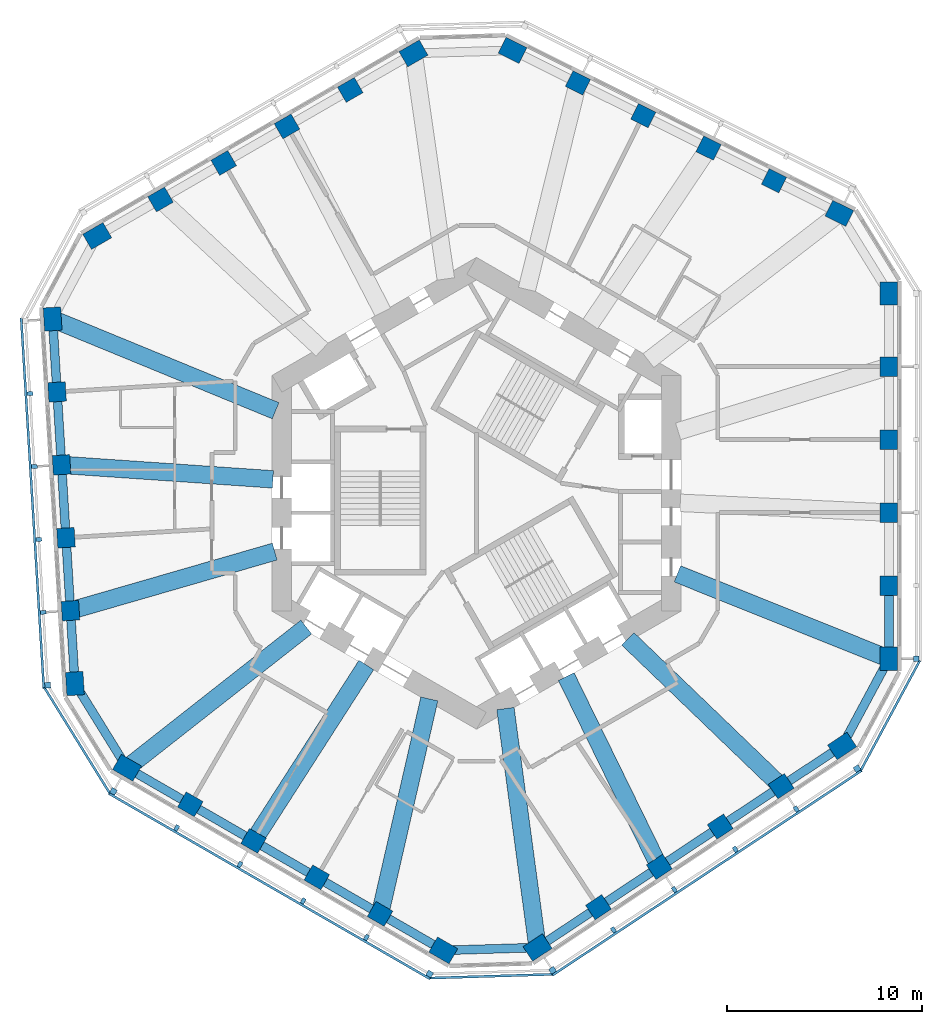
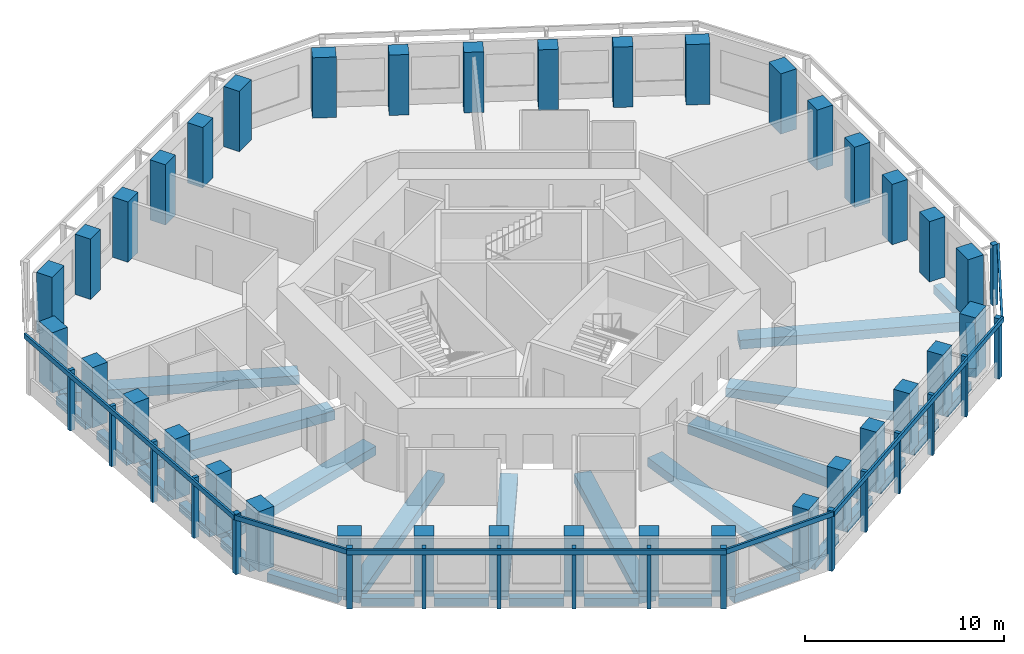
# One storey, part 1 of 10: 36 columns, 29 beams, 24 members, 7 elements without a shape of their own.
"""IFC4 building model written with IfcOpenShell, lengths in metres."""

from ifc_helpers import new_model, si_unit, direction, frame, origin, origin_2d, place, context, subcontext, project, spatial, rectangle, extrude, material, material_profile, profile_set, type_object, element, aggregate, save


model = new_model("IFC4")

# Units and contexts
model_context = context("Model", 3, precision=1e-05, world=origin(), true_north=direction((0.0, 1.0)))
body_context = subcontext(model_context, "Body", "Model", "MODEL_VIEW")
ifc_project = project(units=[si_unit("LENGTHUNIT", "METRE"), si_unit("AREAUNIT", "SQUARE_METRE"), si_unit("VOLUMEUNIT", "CUBIC_METRE"), si_unit("PLANEANGLEUNIT", "RADIAN"), si_unit("MASSUNIT", "GRAM", prefix="KILO")], contexts=[model_context])

# Site, building, storey
site_placement = place(None, origin())
site = spatial("IfcSite", under=ifc_project, at=site_placement, CompositionType="ELEMENT")
building_placement = place(site_placement, origin())
building = spatial("IfcBuilding", under=site, at=building_placement, Name="Vanh Sen Convention Tower", CompositionType="ELEMENT")
storey_placement = place(building_placement, frame((0.0, 0.0, 165.10009765625)))
storey = spatial("IfcBuildingStorey", under=building, at=storey_placement, Name="L40", CompositionType="ELEMENT", Elevation=165.10009765625)

# Columns
ifc_material_1 = material(Name="Concrete C80/95", Category="concrete")
ifc_material_profile_1 = material_profile(ifc_material_1, rectangle(XDim=1.0, YDim=0.89990234375, at=origin_2d()), Name="RC 1000X900")
ifc_profile_set_1 = profile_set([ifc_material_profile_1], Name="Concrete C80/95")
column_type_1 = type_object("IfcColumnType", Name="Facade column 1000 x 900 C80/95", PredefinedType="COLUMN", material=ifc_profile_set_1)
for number, where, z_axis, x_axis, name in (
    (1, (21.199951171875, -4.746826171875, 0.0), (0.0, 0.0, 1.0), (0.0, 1.0, 0.0), "Facade column 02 L40"),
    (2, (21.199951171875, -0.992919921875, 0.0), (0.0, 0.0, 1.0), (0.0, 1.0, 0.0), "Facade column 03 L40"),
    (3, (21.199951171875, 2.76123046875, 0.0), (0.0, 0.0, 1.0), (0.0, 1.0, 0.0), "Facade column 04 L40"),
    (4, (21.199951171875, 6.515380859375, 0.0), (0.0, 0.0, 1.0), (0.0, 1.0, 0.0), "Facade column 05 L40"),
    (5, (15.290283203125, 16.0654296875, 0.0), (0.0, 0.0, 1.0), (-0.894934361602, 0.44619781311, 0.0), "Facade column 08 L40"),
    (6, (11.9306640625, 17.740478515625, 0.0), (0.0, 0.0, 1.0), (-0.894934361602, 0.44619781311, 0.0), "Facade column 09 L40"),
    (7, (8.57080078125, 19.41552734375, 0.0), (0.0, 0.0, 1.0), (-0.894934361602, 0.44619781311, 0.0), "Facade column 10 L40"),
    (8, (5.211181640625, 21.0908203125, 0.0), (0.0, 0.0, 1.0), (-0.894934361602, 0.44619781311, 0.0), "Facade column 11 L40"),
    (9, (-6.489013671875, 20.733154296875, 0.0), (0.0, 0.0, 1.0), (-0.866025403784, -0.5, 0.0), "Facade column 14 L40"),
    (10, (-9.740234375, 18.856201171875, 0.0), (0.0, 0.0, 1.0), (-0.866025403784, -0.5, 0.0), "Facade column 15 L40"),
    (11, (-12.991455078125, 16.97900390625, 0.0), (0.0, 0.0, 1.0), (-0.866025403784, -0.5, 0.0), "Facade column 16 L40"),
    (12, (-16.242431640625, 15.10205078125, 0.0), (0.0, 0.0, 1.0), (-0.866025403784, -0.5, 0.0), "Facade column 17 L40"),
    (13, (-21.55810546875, 5.208984375, 0.0), (0.0, 0.0, 1.0), (0.061048539535, -0.998134798422, 0.0), "Facade column 20 L40"),
    (14, (-21.3291015625, 1.4619140625, 0.0), (0.0, 0.0, 1.0), (0.061048539535, -0.998134798422, 0.0), "Facade column 21 L40"),
    (15, (-21.099853515625, -2.28515625, 0.0), (0.0, 0.0, 1.0), (0.061048539535, -0.998134798422, 0.0), "Facade column 22 L40"),
    (16, (-20.87060546875, -6.0322265625, 0.0), (0.0, 0.0, 1.0), (0.061048539535, -0.998134798422, 0.0), "Facade column 23 L40"),
    (17, (-14.7109375, -15.986328125, 0.0), (0.0, 0.0, 1.0), (0.866025403784, -0.5, 0.0), "Facade column 26 L40"),
    (18, (-11.459716796875, -17.86328125, 0.0), (0.0, 0.0, 1.0), (0.866025403784, -0.5, 0.0), "Facade column 27 L40"),
    (19, (-8.20849609375, -19.740478515625, 0.0), (0.0, 0.0, 1.0), (0.866025403784, -0.5, 0.0), "Facade column 28 L40"),
    (20, (-4.95751953125, -21.617431640625, 0.0), (0.0, 0.0, 1.0), (0.866025403784, -0.5, 0.0), "Facade column 29 L40"),
    (21, (6.267822265625, -21.2744140625, 0.0), (0.0, 0.0, 1.0), (0.833885822067, 0.551936985312, 0.0), "Facade column 32 L40"),
    (22, (9.3984375, -19.202392578125, 0.0), (0.0, 0.0, 1.0), (0.833885822067, 0.551936985312, 0.0), "Facade column 33 L40"),
    (23, (12.52880859375, -17.13037109375, 0.0), (0.0, 0.0, 1.0), (0.833885822067, 0.551936985312, 0.0), "Facade column 34 L40"),
    (24, (15.659423828125, -15.058349609375, 0.0), (0.0, 0.0, 1.0), (0.833885822067, 0.551936985312, 0.0), "Facade column 35 L40"),
):
    element("IfcColumn", number, at=place(storey_placement, frame(where, z_axis=z_axis, x_axis=x_axis)), inside=storey, type_object=column_type_1, Name=name, PredefinedType="COLUMN", context=body_context, shape_type="SweptSolid", body=[
        extrude(rectangle(XDim=1.0, YDim=0.89990234375, at=origin_2d()), origin(), (0.0, 0.0, 1.0), 3.699951171875),
    ])
ifc_material_profile_2 = material_profile(ifc_material_1, rectangle(XDim=1.199951171875, YDim=0.89990234375, at=origin_2d()), Name="RC 1200X900")
ifc_profile_set_2 = profile_set([ifc_material_profile_2], Name="Concrete C80/95")
column_type_2 = type_object("IfcColumnType", Name="Facade corner column 1200 x 900 C80/95", PredefinedType="COLUMN", material=ifc_profile_set_2)
for number, where, z_axis, x_axis, name in (
    (25, (21.199951171875, -8.5009765625, 0.0), (0.0, 0.0, 1.0), (0.0, 1.0, 0.0), "Facade column 01 L40"),
    (26, (21.199951171875, 10.26953125, 0.0), (0.0, 0.0, 1.0), (0.0, 1.0, 0.0), "Facade column 06 L40"),
    (27, (18.64990234375, 14.390380859375, 0.0), (0.0, 0.0, 1.0), (-0.894934361602, 0.44619781311, 0.0), "Facade column 07 L40"),
    (28, (1.8515625, 22.765625, 0.0), (0.0, 0.0, 1.0), (-0.894934361602, 0.44619781311, 0.0), "Facade column 12 L40"),
    (29, (-3.23779296875, 22.610107421875, 0.0), (0.0, 0.0, 1.0), (-0.866025403784, -0.5, 0.0), "Facade column 13 L40"),
    (30, (-19.49365234375, 13.22509765625, 0.0), (0.0, 0.0, 1.0), (-0.866025403784, -0.5, 0.0), "Facade column 18 L40"),
    (31, (-21.787353515625, 8.956298828125, 0.0), (0.0, 0.0, 1.0), (0.061048539535, -0.998134798422, 0.0), "Facade column 19 L40"),
    (32, (-20.6416015625, -9.779296875, 0.0), (0.0, 0.0, 1.0), (0.061048539535, -0.998134798422, 0.0), "Facade column 24 L40"),
    (33, (-17.962158203125, -14.109130859375, 0.0), (0.0, 0.0, 1.0), (0.866025403784, -0.5, 0.0), "Facade column 25 L40"),
    (34, (-1.706298828125, -23.494384765625, 0.0), (0.0, 0.0, 1.0), (0.866025403784, -0.5, 0.0), "Facade column 30 L40"),
    (35, (3.137451171875, -23.346435546875, 0.0), (0.0, 0.0, 1.0), (0.833885822067, 0.551936985312, 0.0), "Facade column 31 L40"),
    (36, (18.789794921875, -12.986328125, 0.0), (0.0, 0.0, 1.0), (0.833885822067, 0.551936985312, 0.0), "Facade column 36 L40"),
):
    element("IfcColumn", number, at=place(storey_placement, frame(where, z_axis=z_axis, x_axis=x_axis)), inside=storey, type_object=column_type_2, Name=name, PredefinedType="COLUMN", context=body_context, shape_type="SweptSolid", body=[
        extrude(rectangle(XDim=1.199951171875, YDim=0.89990234375, at=origin_2d()), origin(), (0.0, 0.0, 1.0), 3.699951171875),
    ])

# Curtain wall, member
ifc_material_2 = material(Name="Concrete C50/60", Category="concrete")
curtain_wall_type = type_object("IfcCurtainWallType", Name="Outer skin office zone", PredefinedType="NOTDEFINED", material=ifc_material_2)
curtain_wall_1_placement = place(storey_placement, origin())
curtain_wall_1 = element("IfcCurtainWall", 37, at=curtain_wall_1_placement, inside=storey, type_object=curtain_wall_type, Name="OUTER SKIN E L40", PredefinedType="NOTDEFINED")
ifc_material_profile_3 = material_profile(ifc_material_2, rectangle(XDim=0.300048828125, YDim=0.300048828125, at=origin_2d()), Name="Outer skin precast corner fin 300 x 300")
ifc_profile_set_3 = profile_set([ifc_material_profile_3], Name="Concrete C50/60")
member_type_1 = type_object("IfcMemberType", Name="Outer skin precast corner fin 300 x 300", PredefinedType="MULLION", material=ifc_profile_set_3)
member_1_placement = place(storey_placement, frame((22.60009765625, -8.5009765625, 0.0), z_axis=(0.0, 0.0, 1.0), x_axis=(0.0, 1.0, 0.0)))
member_1 = element("IfcMember", 38, at=member_1_placement, type_object=member_type_1, Name="OUTER SKIN CORNER FIN 1 E L40", PredefinedType="MULLION", context=body_context, shape_type="SweptSolid", body=[
    extrude(rectangle(XDim=0.300048828125, YDim=0.300048828125, at=origin_2d()), origin(), (0.0, 0.0, 1.0), 3.699951171875),
])
aggregate(curtain_wall_1, [member_1])

curtain_wall_2_placement = place(storey_placement, origin())
curtain_wall_2 = element("IfcCurtainWall", 39, at=curtain_wall_2_placement, inside=storey, type_object=curtain_wall_type, Name="OUTER SKIN W L40", PredefinedType="NOTDEFINED")
member_2_placement = place(storey_placement, frame((-22.038818359375, -9.864990234375, 0.0), z_axis=(0.0, 0.0, 1.0), x_axis=(0.061048539535, -0.998134798422, 0.0)))
member_2 = element("IfcMember", 40, at=member_2_placement, type_object=member_type_1, Name="OUTER SKIN CORNER FIN 6 W L40", PredefinedType="MULLION", context=body_context, shape_type="SweptSolid", body=[
    extrude(rectangle(XDim=0.300048828125, YDim=0.300048828125, at=origin_2d()), origin(), (0.0, 0.0, 1.0), 3.699951171875),
])

# Curtain wall, members
curtain_wall_3_placement = place(storey_placement, origin())
curtain_wall_3 = element("IfcCurtainWall", 41, at=curtain_wall_3_placement, inside=storey, type_object=curtain_wall_type, Name="OUTER SKIN SW L40", PredefinedType="NOTDEFINED")
member_3_placement = place(storey_placement, frame((-18.662109375, -15.321533203125, 0.0), z_axis=(0.0, 0.0, 1.0), x_axis=(0.866025403784, -0.5, 0.0)))
member_3 = element("IfcMember", 42, at=member_3_placement, type_object=member_type_1, Name="OUTER SKIN CORNER FIN 1 SW L40", PredefinedType="MULLION", context=body_context, shape_type="SweptSolid", body=[
    extrude(rectangle(XDim=0.300048828125, YDim=0.300048828125, at=origin_2d()), origin(), (0.0, 0.0, 1.0), 3.699951171875),
])
member_4_placement = place(storey_placement, frame((-2.40625, -24.706787109375, 0.0), z_axis=(0.0, 0.0, 1.0), x_axis=(0.866025403784, -0.5, 0.0)))
member_4 = element("IfcMember", 43, at=member_4_placement, type_object=member_type_1, Name="OUTER SKIN CORNER FIN 6 SW L40", PredefinedType="MULLION", context=body_context, shape_type="SweptSolid", body=[
    extrude(rectangle(XDim=0.300048828125, YDim=0.300048828125, at=origin_2d()), origin(), (0.0, 0.0, 1.0), 3.699951171875),
])

curtain_wall_4_placement = place(storey_placement, origin())
curtain_wall_4 = element("IfcCurtainWall", 44, at=curtain_wall_4_placement, inside=storey, type_object=curtain_wall_type, Name="OUTER SKIN SE L40", PredefinedType="NOTDEFINED")
member_5_placement = place(storey_placement, frame((3.91015625, -24.513916015625, 0.0), z_axis=(0.0, 0.0, 1.0), x_axis=(0.833885822067, 0.551936985312, 0.0)))
member_5 = element("IfcMember", 45, at=member_5_placement, type_object=member_type_1, Name="OUTER SKIN CORNER FIN 1 SE L40", PredefinedType="MULLION", context=body_context, shape_type="SweptSolid", body=[
    extrude(rectangle(XDim=0.300048828125, YDim=0.300048828125, at=origin_2d()), origin(), (0.0, 0.0, 1.0), 3.699951171875),
])
member_6_placement = place(storey_placement, frame((19.5625, -14.15380859375, 0.0), z_axis=(0.0, 0.0, 1.0), x_axis=(0.833885822067, 0.551936985312, 0.0)))
member_6 = element("IfcMember", 46, at=member_6_placement, type_object=member_type_1, Name="OUTER SKIN CORNER FIN 6 SE L40", PredefinedType="MULLION", context=body_context, shape_type="SweptSolid", body=[
    extrude(rectangle(XDim=0.300048828125, YDim=0.300048828125, at=origin_2d()), origin(), (0.0, 0.0, 1.0), 3.699951171875),
])

# Member
ifc_material_profile_4 = material_profile(ifc_material_2, rectangle(XDim=0.199951171875, YDim=0.300048828125, at=origin_2d()), Name="Outer skin precast fin 200 x 300")
ifc_profile_set_4 = profile_set([ifc_material_profile_4], Name="Concrete C50/60")
member_type_2 = type_object("IfcMemberType", Name="Outer skin precast fin 200 x 300", PredefinedType="MULLION", material=ifc_profile_set_4)
member_7_placement = place(storey_placement, frame((-22.95556640625, 5.12353515625, 0.0), z_axis=(0.0, 0.0, 1.0), x_axis=(0.061048539535, -0.998134798422, 0.0)))
member_7 = element("IfcMember", 47, at=member_7_placement, type_object=member_type_2, Name="OUTER SKIN fin 2 W L40", PredefinedType="MULLION", context=body_context, shape_type="SweptSolid", body=[
    extrude(rectangle(XDim=0.199951171875, YDim=0.300048828125, at=origin_2d()), origin(), (0.0, 0.0, 1.0), 3.699951171875),
])

member_8_placement = place(storey_placement, frame((-22.726318359375, 1.37646484375, 0.0), z_axis=(0.0, 0.0, 1.0), x_axis=(0.061048539535, -0.998134798422, 0.0)))
member_8 = element("IfcMember", 48, at=member_8_placement, type_object=member_type_2, Name="OUTER SKIN fin 3 W L40", PredefinedType="MULLION", context=body_context, shape_type="SweptSolid", body=[
    extrude(rectangle(XDim=0.199951171875, YDim=0.300048828125, at=origin_2d()), origin(), (0.0, 0.0, 1.0), 3.699951171875),
])

member_9_placement = place(storey_placement, frame((-22.497314453125, -2.37060546875, 0.0), z_axis=(0.0, 0.0, 1.0), x_axis=(0.061048539535, -0.998134798422, 0.0)))
member_9 = element("IfcMember", 49, at=member_9_placement, type_object=member_type_2, Name="OUTER SKIN fin 4 W L40", PredefinedType="MULLION", context=body_context, shape_type="SweptSolid", body=[
    extrude(rectangle(XDim=0.199951171875, YDim=0.300048828125, at=origin_2d()), origin(), (0.0, 0.0, 1.0), 3.699951171875),
])

member_10_placement = place(storey_placement, frame((-22.26806640625, -6.117919921875, 0.0), z_axis=(0.0, 0.0, 1.0), x_axis=(0.061048539535, -0.998134798422, 0.0)))
member_10 = element("IfcMember", 50, at=member_10_placement, type_object=member_type_2, Name="OUTER SKIN fin 5 W L40", PredefinedType="MULLION", context=body_context, shape_type="SweptSolid", body=[
    extrude(rectangle(XDim=0.199951171875, YDim=0.300048828125, at=origin_2d()), origin(), (0.0, 0.0, 1.0), 3.699951171875),
])

member_11_placement = place(storey_placement, frame((-15.410888671875, -17.19873046875, 0.0), z_axis=(0.0, 0.0, 1.0), x_axis=(0.866025403784, -0.5, 0.0)))
member_11 = element("IfcMember", 51, at=member_11_placement, type_object=member_type_2, Name="OUTER SKIN fin 2 SW L40", PredefinedType="MULLION", context=body_context, shape_type="SweptSolid", body=[
    extrude(rectangle(XDim=0.199951171875, YDim=0.300048828125, at=origin_2d()), origin(), (0.0, 0.0, 1.0), 3.699951171875),
])

member_12_placement = place(storey_placement, frame((-12.159912109375, -19.07568359375, 0.0), z_axis=(0.0, 0.0, 1.0), x_axis=(0.866025403784, -0.5, 0.0)))
member_12 = element("IfcMember", 52, at=member_12_placement, type_object=member_type_2, Name="OUTER SKIN fin 3 SW L40", PredefinedType="MULLION", context=body_context, shape_type="SweptSolid", body=[
    extrude(rectangle(XDim=0.199951171875, YDim=0.300048828125, at=origin_2d()), origin(), (0.0, 0.0, 1.0), 3.699951171875),
])

member_13_placement = place(storey_placement, frame((-8.90869140625, -20.952880859375, 0.0), z_axis=(0.0, 0.0, 1.0), x_axis=(0.866025403784, -0.5, 0.0)))
member_13 = element("IfcMember", 53, at=member_13_placement, type_object=member_type_2, Name="OUTER SKIN fin 4 SW L40", PredefinedType="MULLION", context=body_context, shape_type="SweptSolid", body=[
    extrude(rectangle(XDim=0.199951171875, YDim=0.300048828125, at=origin_2d()), origin(), (0.0, 0.0, 1.0), 3.699951171875),
])

member_14_placement = place(storey_placement, frame((-5.657470703125, -22.829833984375, 0.0), z_axis=(0.0, 0.0, 1.0), x_axis=(0.866025403784, -0.5, 0.0)))
member_14 = element("IfcMember", 54, at=member_14_placement, type_object=member_type_2, Name="OUTER SKIN fin 5 SW L40", PredefinedType="MULLION", context=body_context, shape_type="SweptSolid", body=[
    extrude(rectangle(XDim=0.199951171875, YDim=0.300048828125, at=origin_2d()), origin(), (0.0, 0.0, 1.0), 3.699951171875),
])

member_15_placement = place(storey_placement, frame((7.04052734375, -22.44189453125, 0.0), z_axis=(0.0, 0.0, 1.0), x_axis=(0.833885822067, 0.551936985312, 0.0)))
member_15 = element("IfcMember", 55, at=member_15_placement, type_object=member_type_2, Name="OUTER SKIN fin 2 SE L40", PredefinedType="MULLION", context=body_context, shape_type="SweptSolid", body=[
    extrude(rectangle(XDim=0.199951171875, YDim=0.300048828125, at=origin_2d()), origin(), (0.0, 0.0, 1.0), 3.699951171875),
])

member_16_placement = place(storey_placement, frame((10.171142578125, -20.369873046875, 0.0), z_axis=(0.0, 0.0, 1.0), x_axis=(0.833885822067, 0.551936985312, 0.0)))
member_16 = element("IfcMember", 56, at=member_16_placement, type_object=member_type_2, Name="OUTER SKIN fin 3 SE L40", PredefinedType="MULLION", context=body_context, shape_type="SweptSolid", body=[
    extrude(rectangle(XDim=0.199951171875, YDim=0.300048828125, at=origin_2d()), origin(), (0.0, 0.0, 1.0), 3.699951171875),
])

member_17_placement = place(storey_placement, frame((13.301513671875, -18.2978515625, 0.0), z_axis=(0.0, 0.0, 1.0), x_axis=(0.833885822067, 0.551936985312, 0.0)))
member_17 = element("IfcMember", 57, at=member_17_placement, type_object=member_type_2, Name="OUTER SKIN fin 4 SE L40", PredefinedType="MULLION", context=body_context, shape_type="SweptSolid", body=[
    extrude(rectangle(XDim=0.199951171875, YDim=0.300048828125, at=origin_2d()), origin(), (0.0, 0.0, 1.0), 3.699951171875),
])

member_18_placement = place(storey_placement, frame((16.43212890625, -16.225830078125, 0.0), z_axis=(0.0, 0.0, 1.0), x_axis=(0.833885822067, 0.551936985312, 0.0)))
member_18 = element("IfcMember", 58, at=member_18_placement, type_object=member_type_2, Name="OUTER SKIN fin 5 SE L40", PredefinedType="MULLION", context=body_context, shape_type="SweptSolid", body=[
    extrude(rectangle(XDim=0.199951171875, YDim=0.300048828125, at=origin_2d()), origin(), (0.0, 0.0, 1.0), 3.699951171875),
])

ifc_material_profile_5 = material_profile(ifc_material_2, rectangle(XDim=0.1201171875, YDim=0.300048828125, at=origin_2d()), Name="Outer skin precast spandrel band 300 x 120")
ifc_profile_set_5 = profile_set([ifc_material_profile_5], Name="Concrete C50/60")
member_type_3 = type_object("IfcMemberType", Name="Outer skin precast spandrel band 300 x 120", PredefinedType="USERDEFINED", material=ifc_profile_set_5)
member_19_placement = place(storey_placement, frame((-23.403564453125, 9.007568359375, 3.5498046875), z_axis=(0.061052799403, -0.998134537868, 0.0), x_axis=(0.998134537868, 0.061052799403, 0.0)))
member_19 = element("IfcMember", 59, at=member_19_placement, type_object=member_type_3, Name="OUTER SKIN spandrel band W L40", ObjectType="TRANSOM", PredefinedType="USERDEFINED", context=body_context, shape_type="SweptSolid", body=[
    extrude(rectangle(XDim=0.1201171875, YDim=0.300048828125, at=origin_2d()), origin(), (0.0, 0.0, 1.0), 19.070556640625),
])

aggregate(curtain_wall_2, [member_7, member_8, member_9, member_10, member_2, member_19])

# Curtain wall, member
curtain_wall_5_placement = place(storey_placement, origin())
curtain_wall_5 = element("IfcCurtainWall", 60, at=curtain_wall_5_placement, inside=storey, type_object=curtain_wall_type, Name="OUTER SKIN CH4 L40", PredefinedType="NOTDEFINED")
member_20_placement = place(storey_placement, frame((-22.217529296875, -9.975341796875, 3.5498046875), z_axis=(0.526207913146, -0.85035594438, 0.0), x_axis=(0.85035594438, 0.526207913146, 0.0)))
member_20 = element("IfcMember", 61, at=member_20_placement, type_object=member_type_3, Name="OUTER SKIN spandrel band CH4 L40", ObjectType="TRANSOM", PredefinedType="USERDEFINED", context=body_context, shape_type="SweptSolid", body=[
    extrude(rectangle(XDim=0.1201171875, YDim=0.300048828125, at=origin_2d()), origin(), (0.0, 0.0, 1.0), 6.4169921875),
])
aggregate(curtain_wall_5, [member_20])

# Member
member_21_placement = place(storey_placement, frame((-18.89697265625, -15.428466796875, 3.5498046875), z_axis=(0.866023136587, -0.500003926881, 0.0), x_axis=(0.500003926881, 0.866023136587, 0.0)))
member_21 = element("IfcMember", 62, at=member_21_placement, type_object=member_type_3, Name="OUTER SKIN spandrel band SW L40", ObjectType="TRANSOM", PredefinedType="USERDEFINED", context=body_context, shape_type="SweptSolid", body=[
    extrude(rectangle(XDim=0.1201171875, YDim=0.300048828125, at=origin_2d()), origin(), (0.0, 0.0, 1.0), 19.070556640625),
])

aggregate(curtain_wall_3, [member_3, member_11, member_12, member_13, member_14, member_4, member_21])

# Curtain wall, member
curtain_wall_6_placement = place(storey_placement, origin())
curtain_wall_6 = element("IfcCurtainWall", 63, at=curtain_wall_6_placement, inside=storey, type_object=curtain_wall_type, Name="OUTER SKIN CH5 L40", PredefinedType="NOTDEFINED")
member_22_placement = place(storey_placement, frame((-2.39990234375, -24.916748046875, 3.5498046875), z_axis=(0.99953413443, 0.030520716071, 0.0), x_axis=(-0.030520716071, 0.99953413443, 0.0)))
member_22 = element("IfcMember", 64, at=member_22_placement, type_object=member_type_3, Name="OUTER SKIN spandrel band CH5 L40", ObjectType="TRANSOM", PredefinedType="USERDEFINED", context=body_context, shape_type="SweptSolid", body=[
    extrude(rectangle(XDim=0.1201171875, YDim=0.300048828125, at=origin_2d()), origin(), (0.0, 0.0, 1.0), 6.3193359375),
])
aggregate(curtain_wall_6, [member_22])

# Member
member_23_placement = place(storey_placement, frame((3.90087890625, -24.771728515625, 3.5498046875), z_axis=(0.833891134859, 0.551928958475, 0.0), x_axis=(-0.551928958475, 0.833891134859, 0.0)))
member_23 = element("IfcMember", 65, at=member_23_placement, type_object=member_type_3, Name="OUTER SKIN spandrel band SE L40", ObjectType="TRANSOM", PredefinedType="USERDEFINED", context=body_context, shape_type="SweptSolid", body=[
    extrude(rectangle(XDim=0.1201171875, YDim=0.300048828125, at=origin_2d()), origin(), (0.0, 0.0, 1.0), 19.070556640625),
])

aggregate(curtain_wall_4, [member_5, member_15, member_16, member_17, member_18, member_6, member_23])

# Curtain wall, member
curtain_wall_7_placement = place(storey_placement, origin())
curtain_wall_7 = element("IfcCurtainWall", 66, at=curtain_wall_7_placement, inside=storey, type_object=curtain_wall_type, Name="OUTER SKIN CH6 L40", PredefinedType="NOTDEFINED")
member_24_placement = place(storey_placement, frame((19.74755859375, -14.253173828125, 3.5498046875), z_axis=(0.473316922434, 0.880892213008, 0.0), x_axis=(-0.880892213008, 0.473316922434, 0.0)))
member_24 = element("IfcMember", 67, at=member_24_placement, type_object=member_type_3, Name="OUTER SKIN spandrel band CH6 L40", ObjectType="TRANSOM", PredefinedType="USERDEFINED", context=body_context, shape_type="SweptSolid", body=[
    extrude(rectangle(XDim=0.1201171875, YDim=0.300048828125, at=origin_2d()), origin(), (0.0, 0.0, 1.0), 6.417236328125),
])
aggregate(curtain_wall_7, [member_24])

# Beams
ifc_material_3 = material(Name="Concrete C50/60", Category="concrete")
ifc_material_profile_6 = material_profile(ifc_material_3, rectangle(XDim=0.89990234375, YDim=0.550048828125, at=origin_2d()), Name="RC 900X550")
ifc_profile_set_6 = profile_set([ifc_material_profile_6], Name="Concrete C50/60")
beam_type_1 = type_object("IfcBeamType", Name="Radial floor beam 900 x 550", PredefinedType="BEAM", material=ifc_profile_set_6)
beam_1_placement = place(storey_placement, frame((20.922119140625, -8.3896484375, -0.55517578125), z_axis=(-0.928156247891, 0.372190783739, 0.0), x_axis=(-0.372190783739, -0.928156247891, 0.0)))
element("IfcBeam", 68, at=beam_1_placement, inside=storey, type_object=beam_type_1, Name="Radial beam 01 L40", PredefinedType="BEAM", context=body_context, shape_type="SweptSolid", body=[
    extrude(rectangle(XDim=0.89990234375, YDim=0.550048828125, at=origin_2d()), origin(), (0.0, 0.0, 1.0), 11.414306640625),
])
beam_2_placement = place(storey_placement, frame((-21.53125, 8.850830078125, -0.55517578125), z_axis=(0.92490243395, -0.380204533998, 0.0), x_axis=(0.380204533998, 0.92490243395, 0.0)))
element("IfcBeam", 69, at=beam_2_placement, inside=storey, type_object=beam_type_1, Name="Radial beam 10 L40", PredefinedType="BEAM", context=body_context, shape_type="SweptSolid", body=[
    extrude(rectangle(XDim=0.89990234375, YDim=0.550048828125, at=origin_2d()), origin(), (0.0, 0.0, 1.0), 12.116943359375),
])
beam_3_placement = place(storey_placement, frame((-20.939697265625, 1.435302734375, -0.55517578125), z_axis=(0.997659241785, -0.068381556588, 0.0), x_axis=(0.068381556588, 0.997659241785, 0.0)))
element("IfcBeam", 70, at=beam_3_placement, inside=storey, type_object=beam_type_1, Name="Radial beam 11 L40", PredefinedType="BEAM", context=body_context, shape_type="SweptSolid", body=[
    extrude(rectangle(XDim=0.89990234375, YDim=0.550048828125, at=origin_2d()), origin(), (0.0, 0.0, 1.0), 10.500244140625),
])
beam_4_placement = place(storey_placement, frame((-20.60791015625, -5.956298828125, -0.55517578125), z_axis=(0.960679153389, 0.277660879932, 0.0), x_axis=(-0.277660879932, 0.960679153389, 0.0)))
element("IfcBeam", 71, at=beam_4_placement, inside=storey, type_object=beam_type_1, Name="Radial beam 12 L40", PredefinedType="BEAM", context=body_context, shape_type="SweptSolid", body=[
    extrude(rectangle(XDim=0.89990234375, YDim=0.550048828125, at=origin_2d()), origin(), (0.0, 0.0, 1.0), 10.65673828125),
])
beam_5_placement = place(storey_placement, frame((-17.726806640625, -13.92431640625, -0.55517578125), z_axis=(0.786405168583, 0.61771102534, 0.0), x_axis=(-0.61771102534, 0.786405168583, 0.0)))
element("IfcBeam", 72, at=beam_5_placement, inside=storey, type_object=beam_type_1, Name="Radial beam 13 L40", PredefinedType="BEAM", context=body_context, shape_type="SweptSolid", body=[
    extrude(rectangle(XDim=0.89990234375, YDim=0.550048828125, at=origin_2d()), origin(), (0.0, 0.0, 1.0), 11.414306640625),
])
beam_6_placement = place(storey_placement, frame((-11.230712890625, -17.506103515625, -0.55517578125), z_axis=(0.539962921318, 0.841688804489, 0.0), x_axis=(-0.841688804489, 0.539962921318, 0.0)))
element("IfcBeam", 73, at=beam_6_placement, inside=storey, type_object=beam_type_1, Name="Radial beam 14 L40", PredefinedType="BEAM", context=body_context, shape_type="SweptSolid", body=[
    extrude(rectangle(XDim=0.89990234375, YDim=0.550048828125, at=origin_2d()), origin(), (0.0, 0.0, 1.0), 10.3134765625),
])
beam_7_placement = place(storey_placement, frame((-4.905517578125, -21.390625, -0.55517578125), z_axis=(0.223529773199, 0.974697101921, 0.0), x_axis=(-0.974697101921, 0.223529773199, 0.0)))
element("IfcBeam", 74, at=beam_7_placement, inside=storey, type_object=beam_type_1, Name="Radial beam 15 L40", PredefinedType="BEAM", context=body_context, shape_type="SweptSolid", body=[
    extrude(rectangle(XDim=0.89990234375, YDim=0.550048828125, at=origin_2d()), origin(), (0.0, 0.0, 1.0), 11.1044921875),
])
beam_8_placement = place(storey_placement, frame((3.1005859375, -23.072021484375, -0.55517578125), z_axis=(-0.133182520442, 0.991091527685, 0.0), x_axis=(-0.991091527685, -0.133182520442, 0.0)))
element("IfcBeam", 75, at=beam_8_placement, inside=storey, type_object=beam_type_1, Name="Radial beam 16 L40", PredefinedType="BEAM", context=body_context, shape_type="SweptSolid", body=[
    extrude(rectangle(XDim=0.89990234375, YDim=0.550048828125, at=origin_2d()), origin(), (0.0, 0.0, 1.0), 12.116943359375),
])
beam_9_placement = place(storey_placement, frame((9.226806640625, -18.85205078125, -0.55517578125), z_axis=(-0.439589583386, 0.898198752047, 0.0), x_axis=(-0.898198752047, -0.439589583386, 0.0)))
element("IfcBeam", 76, at=beam_9_placement, inside=storey, type_object=beam_type_1, Name="Radial beam 17 L40", PredefinedType="BEAM", context=body_context, shape_type="SweptSolid", body=[
    extrude(rectangle(XDim=0.89990234375, YDim=0.550048828125, at=origin_2d()), origin(), (0.0, 0.0, 1.0), 10.5),
])
beam_10_placement = place(storey_placement, frame((15.462158203125, -14.868896484375, -0.55517578125), z_axis=(-0.720797844742, 0.693145343356, 0.0), x_axis=(-0.693145343356, -0.720797844742, 0.0)))
element("IfcBeam", 77, at=beam_10_placement, inside=storey, type_object=beam_type_1, Name="Radial beam 18 L40", PredefinedType="BEAM", context=body_context, shape_type="SweptSolid", body=[
    extrude(rectangle(XDim=0.89990234375, YDim=0.550048828125, at=origin_2d()), origin(), (0.0, 0.0, 1.0), 10.656494140625),
])
ifc_material_profile_7 = material_profile(ifc_material_3, rectangle(XDim=0.449951171875, YDim=0.5, at=origin_2d()), Name="RC 450X500")
ifc_profile_set_7 = profile_set([ifc_material_profile_7], Name="Concrete C50/60")
beam_type_2 = type_object("IfcBeamType", Name="Spandrel beam 450 x 500", PredefinedType="SPANDREL", material=ifc_profile_set_7)
for number, where, z_axis, x_axis, name in (
    (78, (21.199951171875, -7.906005859375, -0.530029296875), (0.0, 1.0, 0.0), (-1.0, 0.0, 0.0), "Spandrel beam 01 L40"),
    (79, (-21.751220703125, 8.3623046875, -0.530029296875), (0.061123105648, -0.998130234967, 0.0), (0.998130234967, 0.061123105648, 0.0), "Spandrel beam 19 L40"),
):
    element("IfcBeam", number, at=place(storey_placement, frame(where, z_axis=z_axis, x_axis=x_axis)), inside=storey, type_object=beam_type_2, Name=name, PredefinedType="SPANDREL", context=body_context, shape_type="SweptSolid", body=[
        extrude(rectangle(XDim=0.449951171875, YDim=0.5, at=origin_2d()), origin(), (0.0, 0.0, 1.0), 2.6640625),
    ])
for number, where, z_axis, x_axis, name in (
    (80, (-21.528076171875, 4.715087890625, -0.530029296875), (0.061113654492, -0.998130813689, 0.0), (0.998130813689, 0.061113654492, 0.0), "Spandrel beam 20 L40"),
    (81, (-21.298828125, 0.968017578125, -0.530029296875), (0.061113654492, -0.998130813689, 0.0), (0.998130813689, 0.061113654492, 0.0), "Spandrel beam 21 L40"),
):
    element("IfcBeam", number, at=place(storey_placement, frame(where, z_axis=z_axis, x_axis=x_axis)), inside=storey, type_object=beam_type_2, Name=name, PredefinedType="SPANDREL", context=body_context, shape_type="SweptSolid", body=[
        extrude(rectangle(XDim=0.449951171875, YDim=0.5, at=origin_2d()), origin(), (0.0, 0.0, 1.0), 2.764404296875),
    ])
beam_11_placement = place(storey_placement, frame((-21.069580078125, -2.779296875, -0.530029296875), z_axis=(0.061036429863, -0.998135539007, 0.0), x_axis=(0.998135539007, 0.061036429863, 0.0)))
element("IfcBeam", 82, at=beam_11_placement, inside=storey, type_object=beam_type_2, Name="Spandrel beam 22 L40", PredefinedType="SPANDREL", context=body_context, shape_type="SweptSolid", body=[
    extrude(rectangle(XDim=0.449951171875, YDim=0.5, at=origin_2d()), origin(), (0.0, 0.0, 1.0), 2.763916015625),
])
beam_12_placement = place(storey_placement, frame((-20.840576171875, -6.5263671875, -0.530029296875), z_axis=(0.061123105648, -0.998130234967, 0.0), x_axis=(0.998130234967, 0.061123105648, 0.0)))
element("IfcBeam", 83, at=beam_12_placement, inside=storey, type_object=beam_type_2, Name="Spandrel beam 23 L40", PredefinedType="SPANDREL", context=body_context, shape_type="SweptSolid", body=[
    extrude(rectangle(XDim=0.449951171875, YDim=0.5, at=origin_2d()), origin(), (0.0, 0.0, 1.0), 2.6640625),
])
beam_13_placement = place(storey_placement, frame((-20.3642578125, -10.2275390625, -0.530029296875), z_axis=(0.526210982295, -0.850354045156, 0.0), x_axis=(0.850354045156, 0.526210982295, 0.0)))
element("IfcBeam", 84, at=beam_13_placement, inside=storey, type_object=beam_type_2, Name="Spandrel beam 24 L40", PredefinedType="SPANDREL", context=body_context, shape_type="SweptSolid", body=[
    extrude(rectangle(XDim=0.449951171875, YDim=0.5, at=origin_2d()), origin(), (0.0, 0.0, 1.0), 4.037841796875),
])
beam_14_placement = place(storey_placement, frame((-17.44677734375, -14.40673828125, -0.530029296875), z_axis=(0.866023818221, -0.500002746266, 0.0), x_axis=(0.500002746266, 0.866023818221, 0.0)))
element("IfcBeam", 85, at=beam_14_placement, inside=storey, type_object=beam_type_2, Name="Spandrel beam 25 L40", PredefinedType="SPANDREL", context=body_context, shape_type="SweptSolid", body=[
    extrude(rectangle(XDim=0.449951171875, YDim=0.5, at=origin_2d()), origin(), (0.0, 0.0, 1.0), 2.6640625),
])
beam_15_placement = place(storey_placement, frame((-14.2822265625, -16.23388671875, -0.530029296875), z_axis=(0.866060565847, -0.499939092575, 0.0), x_axis=(0.499939092575, 0.866060565847, 0.0)))
element("IfcBeam", 86, at=beam_15_placement, inside=storey, type_object=beam_type_2, Name="Spandrel beam 26 L40", PredefinedType="SPANDREL", context=body_context, shape_type="SweptSolid", body=[
    extrude(rectangle(XDim=0.449951171875, YDim=0.5, at=origin_2d()), origin(), (0.0, 0.0, 1.0), 2.763916015625),
])
for number, where, z_axis, x_axis, name in (
    (87, (-11.031005859375, -18.11083984375, -0.530029296875), (0.866022320763, -0.500005339912, 0.0), (0.500005339912, 0.866022320763, 0.0), "Spandrel beam 27 L40"),
    (88, (-7.77978515625, -19.98779296875, -0.530029296875), (0.865961984968, -0.500109828528, 0.0), (0.500109828528, 0.865961984968, 0.0), "Spandrel beam 28 L40"),
):
    element("IfcBeam", number, at=place(storey_placement, frame(where, z_axis=z_axis, x_axis=x_axis)), inside=storey, type_object=beam_type_2, Name=name, PredefinedType="SPANDREL", context=body_context, shape_type="SweptSolid", body=[
        extrude(rectangle(XDim=0.449951171875, YDim=0.5, at=origin_2d()), origin(), (0.0, 0.0, 1.0), 2.76416015625),
    ])
beam_16_placement = place(storey_placement, frame((-4.52880859375, -21.864990234375, -0.530029296875), z_axis=(0.866023818221, -0.500002746266, 0.0), x_axis=(0.500002746266, 0.866023818221, 0.0)))
element("IfcBeam", 89, at=beam_16_placement, inside=storey, type_object=beam_type_2, Name="Spandrel beam 29 L40", PredefinedType="SPANDREL", context=body_context, shape_type="SweptSolid", body=[
    extrude(rectangle(XDim=0.449951171875, YDim=0.5, at=origin_2d()), origin(), (0.0, 0.0, 1.0), 2.6640625),
])
beam_17_placement = place(storey_placement, frame((-1.219970703125, -23.4794921875, -0.530029296875), z_axis=(0.999534445971, 0.030510511595, 0.0), x_axis=(-0.030510511595, 0.999534445971, 0.0)))
element("IfcBeam", 90, at=beam_17_placement, inside=storey, type_object=beam_type_2, Name="Spandrel beam 30 L40", PredefinedType="SPANDREL", context=body_context, shape_type="SweptSolid", body=[
    extrude(rectangle(XDim=0.449951171875, YDim=0.5, at=origin_2d()), origin(), (0.0, 0.0, 1.0), 3.872802734375),
])
beam_18_placement = place(storey_placement, frame((3.633544921875, -23.01806640625, -0.530029296875), z_axis=(0.833864593577, 0.551969056722, 0.0), x_axis=(-0.551969056722, 0.833864593577, 0.0)))
element("IfcBeam", 91, at=beam_18_placement, inside=storey, type_object=beam_type_2, Name="Spandrel beam 31 L40", PredefinedType="SPANDREL", context=body_context, shape_type="SweptSolid", body=[
    extrude(rectangle(XDim=0.449951171875, YDim=0.5, at=origin_2d()), origin(), (0.0, 0.0, 1.0), 2.6640625),
])
for number, where, z_axis, x_axis, name in (
    (92, (6.6806640625, -21.001220703125, -0.530029296875), (0.833880195108, 0.551945486625, 0.0), (-0.551945486625, 0.833880195108, 0.0), "Spandrel beam 32 L40"),
    (93, (9.811279296875, -18.92919921875, -0.530029296875), (0.833880195108, 0.551945486625, 0.0), (-0.551945486625, 0.833880195108, 0.0), "Spandrel beam 33 L40"),
    (94, (12.941650390625, -16.857177734375, -0.530029296875), (0.833880195108, 0.551945486625, 0.0), (-0.551945486625, 0.833880195108, 0.0), "Spandrel beam 34 L40"),
):
    element("IfcBeam", number, at=place(storey_placement, frame(where, z_axis=z_axis, x_axis=x_axis)), inside=storey, type_object=beam_type_2, Name=name, PredefinedType="SPANDREL", context=body_context, shape_type="SweptSolid", body=[
        extrude(rectangle(XDim=0.449951171875, YDim=0.5, at=origin_2d()), origin(), (0.0, 0.0, 1.0), 2.76416015625),
    ])
beam_19_placement = place(storey_placement, frame((16.072265625, -14.78515625, -0.530029296875), z_axis=(0.833864593577, 0.551969056722, 0.0), x_axis=(-0.551969056722, 0.833864593577, 0.0)))
element("IfcBeam", 95, at=beam_19_placement, inside=storey, type_object=beam_type_2, Name="Spandrel beam 35 L40", PredefinedType="SPANDREL", context=body_context, shape_type="SweptSolid", body=[
    extrude(rectangle(XDim=0.449951171875, YDim=0.5, at=origin_2d()), origin(), (0.0, 0.0, 1.0), 2.6640625),
])
beam_20_placement = place(storey_placement, frame((19.039306640625, -12.522216796875, -0.530029296875), z_axis=(0.473331705403, 0.880884269731, 0.0), x_axis=(-0.880884269731, 0.473331705403, 0.0)))
element("IfcBeam", 96, at=beam_20_placement, inside=storey, type_object=beam_type_2, Name="Spandrel beam 36 L40", PredefinedType="SPANDREL", context=body_context, shape_type="SweptSolid", body=[
    extrude(rectangle(XDim=0.449951171875, YDim=0.5, at=origin_2d()), origin(), (0.0, 0.0, 1.0), 4.0380859375),
])

save(model, "model.ifc")
